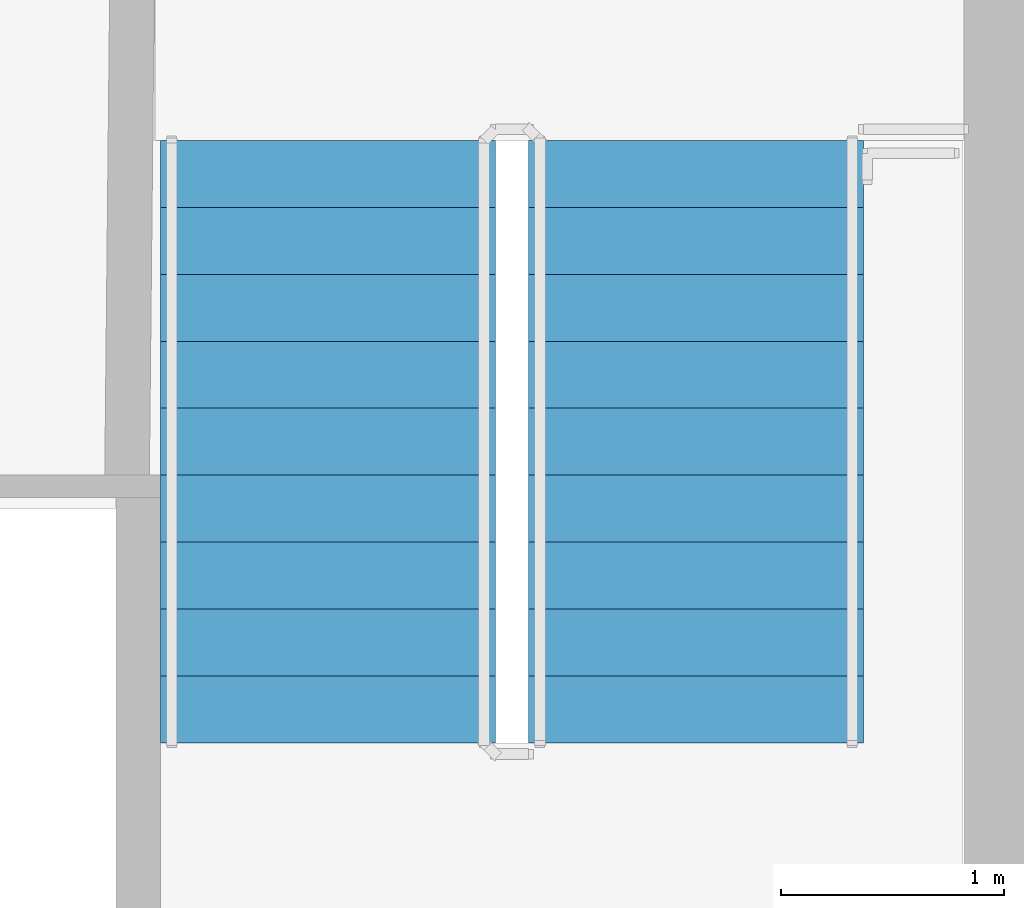
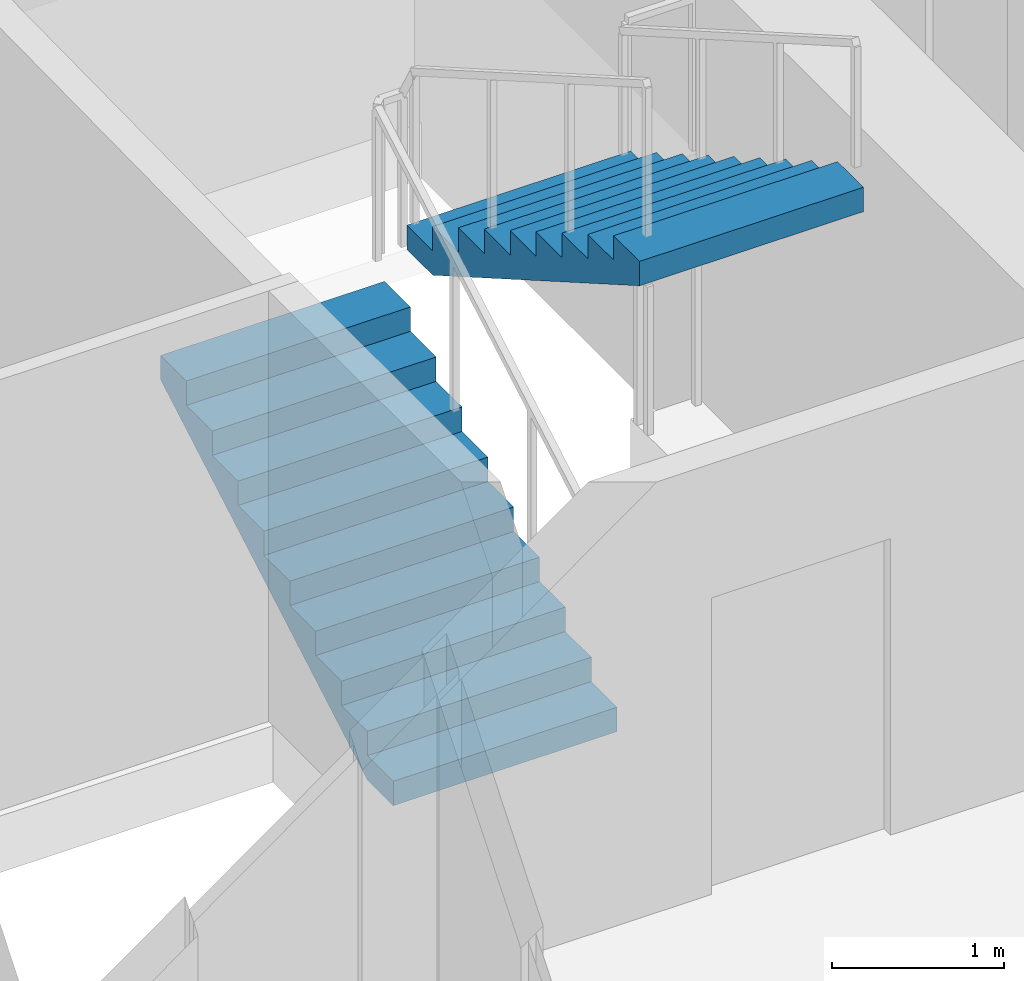
# One storey, part 14 of 17: 2 stair flights, 1 element without a shape of its own.
"""IFC4 building model written with IfcOpenShell, lengths in metres."""

from ifc_helpers import new_model, si_unit, direction, frame, origin, place, context, subcontext, project, spatial, polyline, outline, extrude, material, type_object, element, aggregate, save


model = new_model("IFC4")

# Units and contexts
model_context = context("Model", 3, precision=1e-05, world=origin(), true_north=direction((0.0, 1.0)))
body_context = subcontext(model_context, "Body", "Model", "MODEL_VIEW")
ifc_project = project(units=[si_unit("LENGTHUNIT", "METRE"), si_unit("AREAUNIT", "SQUARE_METRE"), si_unit("VOLUMEUNIT", "CUBIC_METRE"), si_unit("PLANEANGLEUNIT", "RADIAN"), si_unit("MASSUNIT", "GRAM", prefix="KILO")], contexts=[model_context])

# Site, building, storey
site_placement = place(None, origin())
site = spatial("IfcSite", under=ifc_project, at=site_placement, CompositionType="ELEMENT")
building_placement = place(site_placement, origin())
building = spatial("IfcBuilding", under=site, at=building_placement, Name="Vermilion Ogive Tower", CompositionType="ELEMENT")
storey_placement = place(building_placement, frame((0.0, 0.0, 157.25)))
storey = spatial("IfcBuildingStorey", under=building, at=storey_placement, Name="L40", CompositionType="ELEMENT", Elevation=157.25)

# Stair, stair flights
ifc_material_1 = material(Name="Concrete B40", Category="concrete")
stair_type = type_object("IfcStairType", Name="Exit stair 1500", PredefinedType="HALF_TURN_STAIR", material=ifc_material_1)
stair_placement = place(storey_placement, origin())
stair = element("IfcStair", 1, at=stair_placement, inside=storey, type_object=stair_type, Name="L40 Exit Stair ST2", PredefinedType="HALF_TURN_STAIR")
ifc_material_2 = material(Name="Concrete B40", Category="concrete")
stair_flight_type = type_object("IfcStairFlightType", Name="Stair flight 1500", PredefinedType="STRAIGHT", material=ifc_material_2)
stair_flight_1_placement = place(storey_placement, frame((4.85009765625, 14.85009765625, 0.0), z_axis=(0.0, 0.0, 1.0), x_axis=(0.0, 1.0, 0.0)))
stair_flight_1 = element("IfcStairFlight", 2, at=stair_flight_1_placement, type_object=stair_flight_type, Name="ST2 flight 1", NumberOfRisers=10, NumberOfTreads=9, PredefinedType="STRAIGHT", RiserHeight=0.1725, TreadLength=0.3, context=body_context, shape_type="SweptSolid", body=[
    extrude(outline(polyline([(0.0, 0.0), (0.0, 0.172607421875), (0.300048828125, 0.172607421875), (0.300048828125, 0.344970703125), (0.60009765625, 0.344970703125), (0.60009765625, 0.517578125), (0.89990234375, 0.517578125), (0.89990234375, 0.68994140625), (1.199951171875, 0.68994140625), (1.199951171875, 0.862548828125), (1.5, 0.862548828125), (1.5, 1.034912109375), (1.800048828125, 1.034912109375), (1.800048828125, 1.20751953125), (2.10009765625, 1.20751953125), (2.10009765625, 1.3798828125), (2.39990234375, 1.3798828125), (2.39990234375, 1.552490234375), (2.699951171875, 1.552490234375), (2.699951171875, 1.72509765625), (2.699951171875, 1.379638671875), (0.30078125, 0.0), (0.0, 0.0)])), frame((0.0, 0.75, 0.0), z_axis=(0.0, -1.0, 0.0), x_axis=(1.0, 0.0, 0.0)), (0.0, 0.0, 1.0), 1.5),
])
stair_flight_2_placement = place(storey_placement, frame((6.5, 17.550048828125, 1.72509765625), z_axis=(0.0, 0.0, 1.0), x_axis=(0.0, -1.0, 0.0)))
stair_flight_2 = element("IfcStairFlight", 3, at=stair_flight_2_placement, type_object=stair_flight_type, Name="ST2 flight 2", NumberOfRisers=10, NumberOfTreads=9, PredefinedType="STRAIGHT", RiserHeight=0.1725, TreadLength=0.3, context=body_context, shape_type="SweptSolid", body=[
    extrude(outline(polyline([(0.0, 0.0), (0.0, 0.172607421875), (0.300048828125, 0.172607421875), (0.300048828125, 0.344970703125), (0.60009765625, 0.344970703125), (0.60009765625, 0.517578125), (0.89990234375, 0.517578125), (0.89990234375, 0.68994140625), (1.199951171875, 0.68994140625), (1.199951171875, 0.862548828125), (1.5, 0.862548828125), (1.5, 1.034912109375), (1.800048828125, 1.034912109375), (1.800048828125, 1.20751953125), (2.10009765625, 1.20751953125), (2.10009765625, 1.3798828125), (2.39990234375, 1.3798828125), (2.39990234375, 1.552490234375), (2.699951171875, 1.552490234375), (2.699951171875, 1.72509765625), (2.699951171875, 1.379638671875), (0.30078125, 0.0), (0.0, 0.0)])), frame((0.0, 0.75, 0.0), z_axis=(0.0, -1.0, 0.0), x_axis=(1.0, 0.0, 0.0)), (0.0, 0.0, 1.0), 1.5),
])
aggregate(stair, [stair_flight_1, stair_flight_2])

save(model, "model.ifc")
